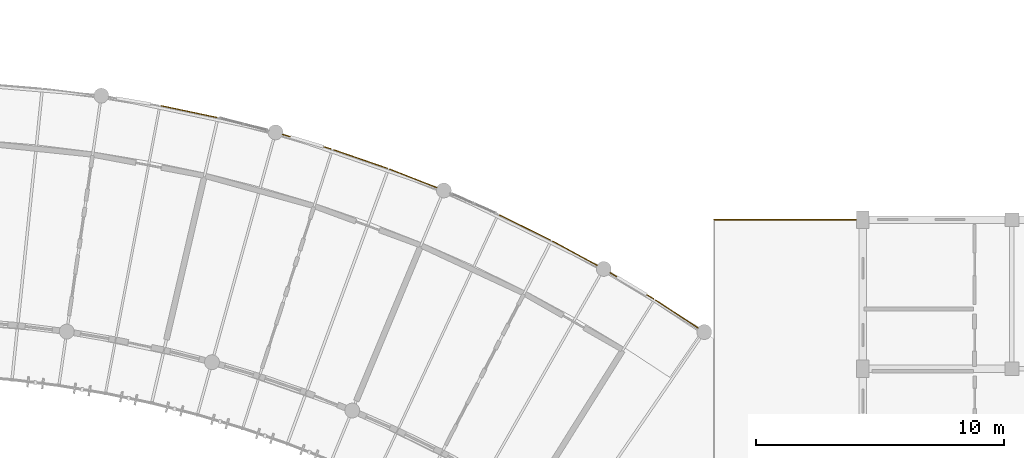
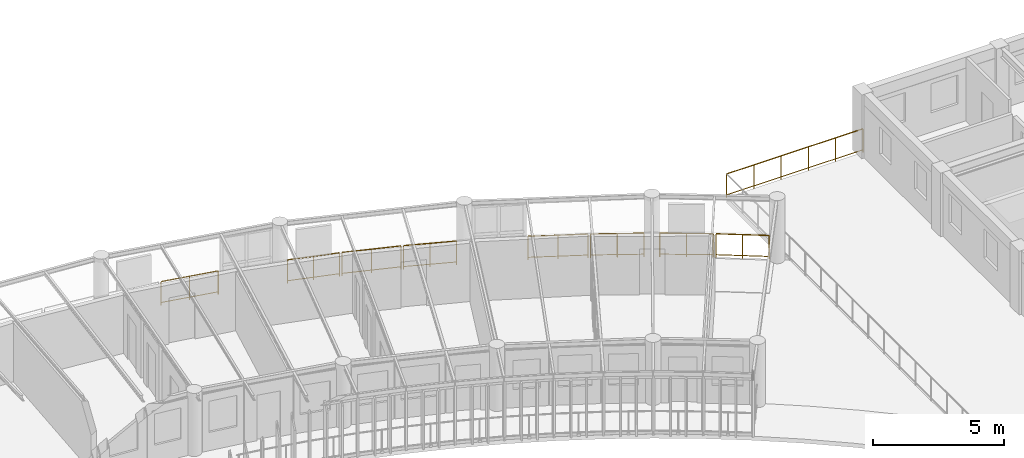
# One storey, part 101 of 101: 9 railings.
"""IFC4 building model written with IfcOpenShell, lengths in metres."""

from ifc_helpers import new_model, si_unit, direction, frame, origin, origin_2d, place, context, subcontext, project, spatial, circle, extrude, material, layer, layer_set, type_object, element, save


model = new_model("IFC4")

# Units and contexts
model_context = context("Model", 3, precision=1e-05, world=origin(), true_north=direction((0.0, 1.0)))
body_context = subcontext(model_context, "Body", "Model", "MODEL_VIEW")
ifc_project = project(units=[si_unit("LENGTHUNIT", "METRE"), si_unit("AREAUNIT", "SQUARE_METRE"), si_unit("VOLUMEUNIT", "CUBIC_METRE"), si_unit("PLANEANGLEUNIT", "RADIAN"), si_unit("MASSUNIT", "GRAM", prefix="KILO"), si_unit("POWERUNIT", "WATT"), si_unit("THERMODYNAMICTEMPERATUREUNIT", "KELVIN")], contexts=[model_context])

# Site, building, storey
site_placement = place(None, origin())
site = spatial("IfcSite", under=ifc_project, at=site_placement, CompositionType="ELEMENT")
building_placement = place(site_placement, origin())
building = spatial("IfcBuilding", under=site, at=building_placement, Name="Ruvembo Vaulted Housing Court", CompositionType="ELEMENT")
storey_placement = place(building_placement, frame((0.0, 0.0, 17.300048828125)))
storey = spatial("IfcBuildingStorey", under=building, at=storey_placement, Name="L05", CompositionType="ELEMENT", Elevation=17.300048828125)

# Railings
ifc_material = material(Name="Galvanised Painted Steel and Laminated Glass", Category="steel")
ifc_layer = layer(ifc_material, 0.070068359375, Name="Galvanised Painted Steel and Laminated Glass")
ifc_layer_set = layer_set([ifc_layer], Name="Galvanised Painted Steel and Laminated Glass")
railing_type = type_object("IfcRailingType", Name="RL-BALUST-1120", PredefinedType="BALUSTRADE", material=ifc_layer_set)
railing_1_placement = place(storey_placement, frame((150.0, 102.0, 0.0)))
element("IfcRailing", 1, at=railing_1_placement, inside=storey, type_object=railing_type, Name="L05 Perimeter Guard RL-EXT-L05-0015", PredefinedType="BALUSTRADE", context=body_context, shape_type="SweptSolid", body=[
    extrude(circle(Radius=0.02392578125, at=origin_2d()), frame((0.0, 0.0, 1.09619140625), z_axis=(1.0, 0.0, 0.0), x_axis=(0.0, 1.0, 0.0)), (0.0, 0.0, 1.0), 6.0),
    extrude(circle(Radius=0.01806640625, at=origin_2d()), frame((0.0, 0.0, 0.1201171875), z_axis=(1.0, 0.0, 0.0), x_axis=(0.0, 1.0, 0.0)), (0.0, 0.0, 1.0), 6.0),
    extrude(circle(Radius=0.02099609375, at=origin_2d()), origin(), (0.0, 0.0, 1.0), 1.072021484375),
    extrude(circle(Radius=0.02099609375, at=origin_2d()), frame((1.199951171875, 0.0, 0.0)), (0.0, 0.0, 1.0), 1.072021484375),
    extrude(circle(Radius=0.02099609375, at=origin_2d()), frame((2.39990234375, 0.0, 0.0)), (0.0, 0.0, 1.0), 1.072021484375),
    extrude(circle(Radius=0.02099609375, at=origin_2d()), frame((3.60009765625, 0.0, 0.0)), (0.0, 0.0, 1.0), 1.072021484375),
    extrude(circle(Radius=0.02099609375, at=origin_2d()), frame((4.800048828125, 0.0, 0.0)), (0.0, 0.0, 1.0), 1.072021484375),
    extrude(circle(Radius=0.02099609375, at=origin_2d()), frame((6.0, 0.0, 0.0)), (0.0, 0.0, 1.0), 1.072021484375),
])
railing_2_placement = place(storey_placement, frame((127.74609375, 106.587646484375, 0.0)))
element("IfcRailing", 2, at=railing_2_placement, inside=storey, type_object=railing_type, Name="L05 Perimeter Guard RL-EXT-L05-0816", PredefinedType="BALUSTRADE", context=body_context, shape_type="SweptSolid", body=[
    extrude(circle(Radius=0.02392578125, at=origin_2d()), frame((0.0, 0.0, 1.09619140625), z_axis=(0.978529427243, -0.206107156642, 0.0), x_axis=(0.206107156642, 0.978529427243, 0.0)), (0.0, 0.0, 1.0), 2.290771484375),
    extrude(circle(Radius=0.01806640625, at=origin_2d()), frame((0.0, 0.0, 0.1201171875), z_axis=(0.978529427243, -0.206107156642, 0.0), x_axis=(0.206107156642, 0.978529427243, 0.0)), (0.0, 0.0, 1.0), 2.290771484375),
    extrude(circle(Radius=0.02099609375, at=origin_2d()), origin(), (0.0, 0.0, 1.0), 1.072021484375),
    extrude(circle(Radius=0.02099609375, at=origin_2d()), frame((1.120849609375, -0.236083984375, 0.0)), (0.0, 0.0, 1.0), 1.072021484375),
    extrude(circle(Radius=0.02099609375, at=origin_2d()), frame((2.24169921875, -0.47216796875, 0.0)), (0.0, 0.0, 1.0), 1.072021484375),
])
railing_3_placement = place(storey_placement, frame((132.64111328125, 105.429931640625, 0.0)))
element("IfcRailing", 3, at=railing_3_placement, inside=storey, type_object=railing_type, Name="L05 Perimeter Guard RL-EXT-L05-0817", PredefinedType="BALUSTRADE", context=body_context, shape_type="SweptSolid", body=[
    extrude(circle(Radius=0.02392578125, at=origin_2d()), frame((0.0, 0.0, 1.09619140625), z_axis=(0.95807943038, -0.286502713917, 0.0), x_axis=(0.286502713917, 0.95807943038, 0.0)), (0.0, 0.0, 1.0), 2.040771484375),
    extrude(circle(Radius=0.01806640625, at=origin_2d()), frame((0.0, 0.0, 0.1201171875), z_axis=(0.95807943038, -0.286502713917, 0.0), x_axis=(0.286502713917, 0.95807943038, 0.0)), (0.0, 0.0, 1.0), 2.040771484375),
    extrude(circle(Radius=0.02099609375, at=origin_2d()), origin(), (0.0, 0.0, 1.0), 1.072021484375),
    extrude(circle(Radius=0.02099609375, at=origin_2d()), frame((0.9775390625, -0.29248046875, 0.0)), (0.0, 0.0, 1.0), 1.072021484375),
    extrude(circle(Radius=0.02099609375, at=origin_2d()), frame((1.955322265625, -0.584716796875, 0.0)), (0.0, 0.0, 1.0), 1.072021484375),
])
railing_4_placement = place(storey_placement, frame((134.691650390625, 104.814697265625, 0.0)))
element("IfcRailing", 4, at=railing_4_placement, inside=storey, type_object=railing_type, Name="L05 Perimeter Guard RL-EXT-L05-0818", PredefinedType="BALUSTRADE", context=body_context, shape_type="SweptSolid", body=[
    extrude(circle(Radius=0.02392578125, at=origin_2d()), frame((0.0, 0.0, 1.09619140625), z_axis=(0.945360522116, -0.326026813659, 0.0), x_axis=(0.326026813659, 0.945360522116, 0.0)), (0.0, 0.0, 1.0), 2.290771484375),
    extrude(circle(Radius=0.01806640625, at=origin_2d()), frame((0.0, 0.0, 0.1201171875), z_axis=(0.945360522116, -0.326026813659, 0.0), x_axis=(0.326026813659, 0.945360522116, 0.0)), (0.0, 0.0, 1.0), 2.290771484375),
    extrude(circle(Radius=0.02099609375, at=origin_2d()), origin(), (0.0, 0.0, 1.0), 1.072021484375),
    extrude(circle(Radius=0.02099609375, at=origin_2d()), frame((1.082763671875, -0.37353515625, 0.0)), (0.0, 0.0, 1.0), 1.072021484375),
    extrude(circle(Radius=0.02099609375, at=origin_2d()), frame((2.16552734375, -0.746826171875, 0.0)), (0.0, 0.0, 1.0), 1.072021484375),
])
railing_5_placement = place(storey_placement, frame((136.951171875, 104.033447265625, 0.0)))
element("IfcRailing", 5, at=railing_5_placement, inside=storey, type_object=railing_type, Name="L05 Perimeter Guard RL-EXT-L05-0819", PredefinedType="BALUSTRADE", context=body_context, shape_type="SweptSolid", body=[
    extrude(circle(Radius=0.02392578125, at=origin_2d()), frame((0.0, 0.0, 1.09619140625), z_axis=(0.931004290003, -0.365008235518, 0.0), x_axis=(0.365008235518, 0.931004290003, 0.0)), (0.0, 0.0, 1.0), 2.040771484375),
    extrude(circle(Radius=0.01806640625, at=origin_2d()), frame((0.0, 0.0, 0.1201171875), z_axis=(0.931004290003, -0.365008235518, 0.0), x_axis=(0.365008235518, 0.931004290003, 0.0)), (0.0, 0.0, 1.0), 2.040771484375),
    extrude(circle(Radius=0.02099609375, at=origin_2d()), origin(), (0.0, 0.0, 1.0), 1.072021484375),
    extrude(circle(Radius=0.02099609375, at=origin_2d()), frame((0.949951171875, -0.37255859375, 0.0)), (0.0, 0.0, 1.0), 1.072021484375),
    extrude(circle(Radius=0.02099609375, at=origin_2d()), frame((1.89990234375, -0.744873046875, 0.0)), (0.0, 0.0, 1.0), 1.072021484375),
])
railing_6_placement = place(storey_placement, frame((141.363037109375, 102.19287109375, 0.0)))
element("IfcRailing", 6, at=railing_6_placement, inside=storey, type_object=railing_type, Name="L05 Perimeter Guard RL-EXT-L05-0820", PredefinedType="BALUSTRADE", context=body_context, shape_type="SweptSolid", body=[
    extrude(circle(Radius=0.02392578125, at=origin_2d()), frame((0.0, 0.0, 1.09619140625), z_axis=(0.897517329608, -0.440979186644, 0.0), x_axis=(0.440979186644, 0.897517329608, 0.0)), (0.0, 0.0, 1.0), 2.291015625),
    extrude(circle(Radius=0.01806640625, at=origin_2d()), frame((0.0, 0.0, 0.1201171875), z_axis=(0.897517329608, -0.440979186644, 0.0), x_axis=(0.440979186644, 0.897517329608, 0.0)), (0.0, 0.0, 1.0), 2.291015625),
    extrude(circle(Radius=0.02099609375, at=origin_2d()), origin(), (0.0, 0.0, 1.0), 1.072021484375),
    extrude(circle(Radius=0.02099609375, at=origin_2d()), frame((1.028076171875, -0.505126953125, 0.0)), (0.0, 0.0, 1.0), 1.072021484375),
    extrude(circle(Radius=0.02099609375, at=origin_2d()), frame((2.05615234375, -1.01025390625, 0.0)), (0.0, 0.0, 1.0), 1.072021484375),
])
railing_7_placement = place(storey_placement, frame((143.508056640625, 101.13671875, 0.0)))
element("IfcRailing", 7, at=railing_7_placement, inside=storey, type_object=railing_type, Name="L05 Perimeter Guard RL-EXT-L05-0821", PredefinedType="BALUSTRADE", context=body_context, shape_type="SweptSolid", body=[
    extrude(circle(Radius=0.02392578125, at=origin_2d()), frame((0.0, 0.0, 1.09619140625), z_axis=(0.878461878829, -0.477812439608, 0.0), x_axis=(0.477812439608, 0.878461878829, 0.0)), (0.0, 0.0, 1.0), 2.040771484375),
    extrude(circle(Radius=0.01806640625, at=origin_2d()), frame((0.0, 0.0, 0.1201171875), z_axis=(0.878461878829, -0.477812439608, 0.0), x_axis=(0.477812439608, 0.878461878829, 0.0)), (0.0, 0.0, 1.0), 2.040771484375),
    extrude(circle(Radius=0.02099609375, at=origin_2d()), origin(), (0.0, 0.0, 1.0), 1.072021484375),
    extrude(circle(Radius=0.02099609375, at=origin_2d()), frame((0.896484375, -0.487548828125, 0.0)), (0.0, 0.0, 1.0), 1.072021484375),
    extrude(circle(Radius=0.02099609375, at=origin_2d()), frame((1.792724609375, -0.97509765625, 0.0)), (0.0, 0.0, 1.0), 1.072021484375),
])
railing_8_placement = place(storey_placement, frame((145.82177734375, 99.8642578125, 0.0)))
element("IfcRailing", 8, at=railing_8_placement, inside=storey, type_object=railing_type, Name="L05 Perimeter Guard RL-EXT-L05-0822", PredefinedType="BALUSTRADE", context=body_context, shape_type="SweptSolid", body=[
    extrude(circle(Radius=0.02392578125, at=origin_2d()), frame((0.0, 0.0, 1.09619140625), z_axis=(0.857893790105, -0.513827057384, 0.0), x_axis=(0.513827057384, 0.857893790105, 0.0)), (0.0, 0.0, 1.0), 2.040771484375),
    extrude(circle(Radius=0.01806640625, at=origin_2d()), frame((0.0, 0.0, 0.1201171875), z_axis=(0.857893790105, -0.513827057384, 0.0), x_axis=(0.513827057384, 0.857893790105, 0.0)), (0.0, 0.0, 1.0), 2.040771484375),
    extrude(circle(Radius=0.02099609375, at=origin_2d()), origin(), (0.0, 0.0, 1.0), 1.072021484375),
    extrude(circle(Radius=0.02099609375, at=origin_2d()), frame((0.87548828125, -0.5244140625, 0.0)), (0.0, 0.0, 1.0), 1.072021484375),
    extrude(circle(Radius=0.02099609375, at=origin_2d()), frame((1.750732421875, -1.048583984375, 0.0)), (0.0, 0.0, 1.0), 1.072021484375),
])
railing_9_placement = place(storey_placement, frame((147.6572265625, 98.762451171875, 0.0)))
element("IfcRailing", 9, at=railing_9_placement, inside=storey, type_object=railing_type, Name="L05 Perimeter Guard RL-EXT-L05-0823", PredefinedType="BALUSTRADE", context=body_context, shape_type="SweptSolid", body=[
    extrude(circle(Radius=0.02392578125, at=origin_2d()), frame((0.0, 0.0, 1.09619140625), z_axis=(0.835840359874, -0.548972579284, 0.0), x_axis=(0.548972579284, 0.835840359874, 0.0)), (0.0, 0.0, 1.0), 2.040771484375),
    extrude(circle(Radius=0.01806640625, at=origin_2d()), frame((0.0, 0.0, 0.1201171875), z_axis=(0.835840359874, -0.548972579284, 0.0), x_axis=(0.548972579284, 0.835840359874, 0.0)), (0.0, 0.0, 1.0), 2.040771484375),
    extrude(circle(Radius=0.02099609375, at=origin_2d()), origin(), (0.0, 0.0, 1.0), 1.072021484375),
    extrude(circle(Radius=0.02099609375, at=origin_2d()), frame((0.85302734375, -0.56005859375, 0.0)), (0.0, 0.0, 1.0), 1.072021484375),
    extrude(circle(Radius=0.02099609375, at=origin_2d()), frame((1.705810546875, -1.120361328125, 0.0)), (0.0, 0.0, 1.0), 1.072021484375),
])

save(model, "model.ifc")
